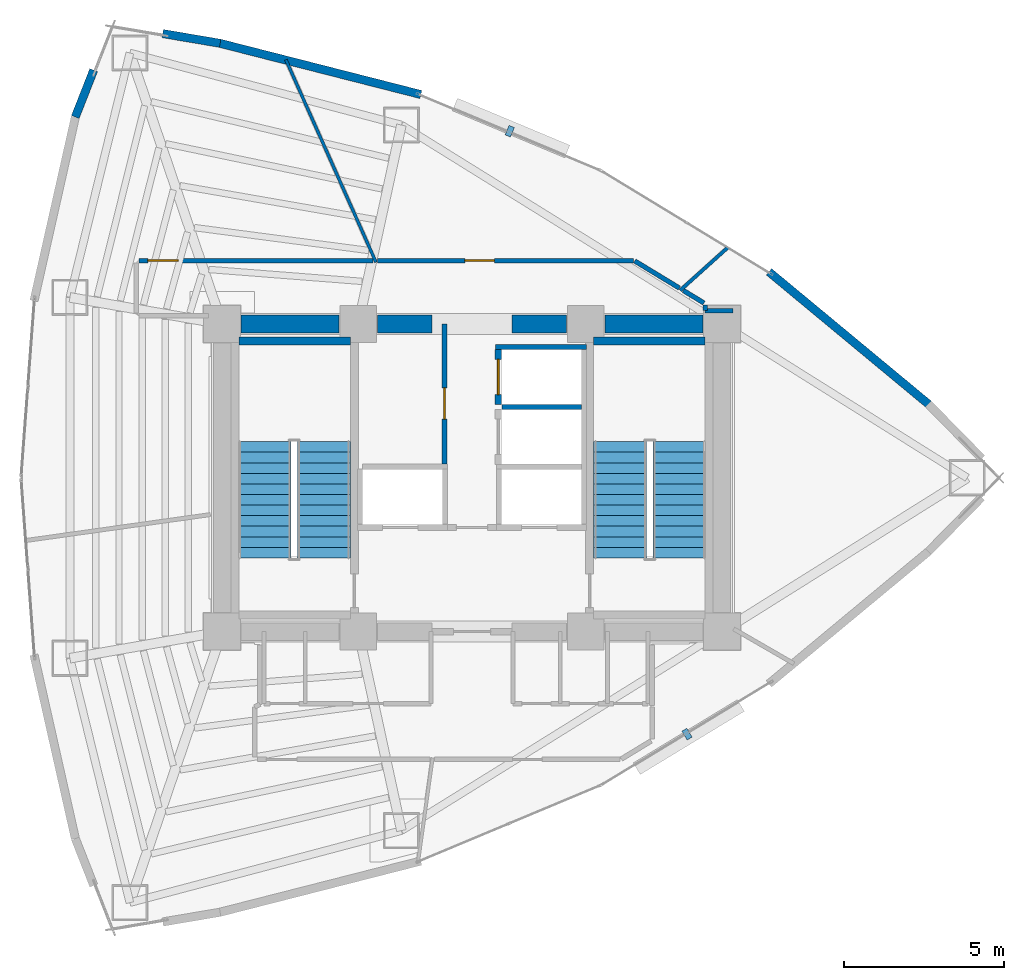
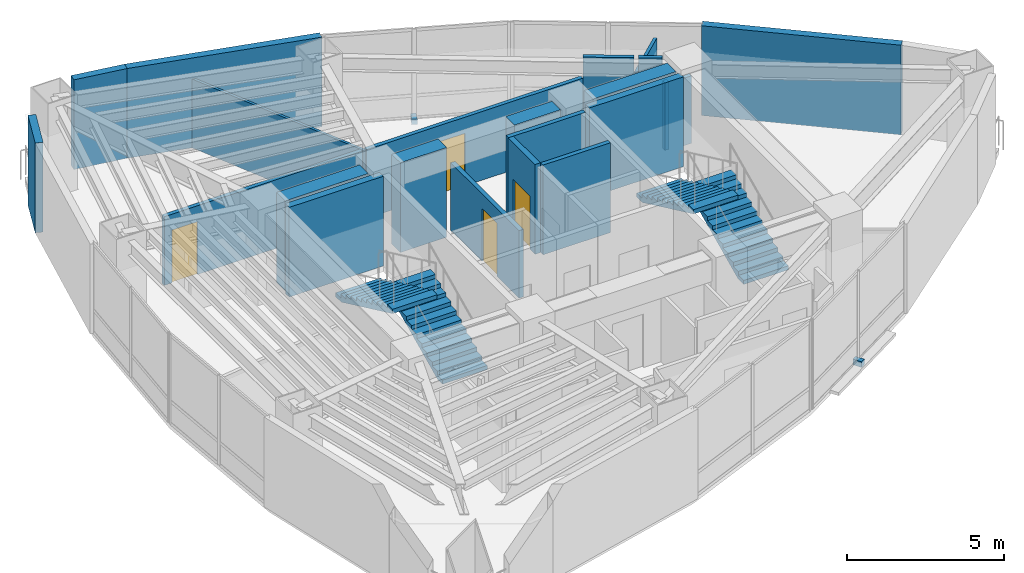
# One storey, part 12 of 15: 22 walls, 4 doors, 4 stair flights, 2 discrete accessories, 4 openings, 2 elements without a shape of their own.
"""IFC4 building model written with IfcOpenShell, lengths in metres."""

from ifc_helpers import new_model, si_unit, direction, frame, frame_2d, origin, origin_2d, place, context, subcontext, project, spatial, polyline, rectangle, outline, extrude, material, layer, layer_set, type_object, element, fill, aggregate, save


model = new_model("IFC4")

# Units and contexts
model_context = context("Model", 3, precision=1e-05, world=origin(), true_north=direction((0.0, 1.0)))
body_context = subcontext(model_context, "Body", "Model", "MODEL_VIEW")
ifc_project = project(units=[si_unit("LENGTHUNIT", "METRE"), si_unit("AREAUNIT", "SQUARE_METRE"), si_unit("VOLUMEUNIT", "CUBIC_METRE"), si_unit("PLANEANGLEUNIT", "RADIAN"), si_unit("MASSUNIT", "GRAM", prefix="KILO")], contexts=[model_context])

# Site, building, storey
site_placement = place(None, origin())
site = spatial("IfcSite", under=ifc_project, at=site_placement, CompositionType="ELEMENT")
building_placement = place(site_placement, origin())
building = spatial("IfcBuilding", under=site, at=building_placement, Name="Menara Vayukalpa", CompositionType="ELEMENT")
storey_placement = place(building_placement, frame((0.0, 0.0, 141.179931640625)))
storey = spatial("IfcBuildingStorey", under=building, at=storey_placement, Name="L35", CompositionType="ELEMENT", Elevation=141.179931640625)

# Walls
ifc_material_1 = material(Name="Concrete C60/75", Category="concrete")
ifc_layer_1 = layer(ifc_material_1, 0.550048828125)
ifc_layer_set_1 = layer_set([ifc_layer_1], Name="Concrete C60/75")
wall_type_1 = type_object("IfcWallType", Name="WAL-CW550", PredefinedType="SHEAR", material=ifc_layer_set_1)
wall_1_placement = place(storey_placement, frame((18.39501953125, 26.800048828125, 0.0), z_axis=(0.0, 0.0, 1.0), x_axis=(1.0, 0.0, 0.0)))
element("IfcWall", 1, at=wall_1_placement, inside=storey, type_object=wall_type_1, Name="L35 Buttressed Core Shear Wall CWN1", PredefinedType="SHEAR", context=body_context, shape_type="SweptSolid", body=[
    extrude(rectangle(XDim=3.06005859375, YDim=0.550048828125, at=frame_2d((1.530029296875, 0.0))), origin(), (0.0, 0.0, 1.0), 3.5),
])
wall_2_placement = place(storey_placement, frame((22.64501953125, 26.800048828125, 0.0), z_axis=(0.0, 0.0, 1.0), x_axis=(1.0, 0.0, 0.0)))
element("IfcWall", 2, at=wall_2_placement, inside=storey, type_object=wall_type_1, Name="L35 Buttressed Core Shear Wall CWN2", PredefinedType="SHEAR", context=body_context, shape_type="SweptSolid", body=[
    extrude(rectangle(XDim=1.705078125, YDim=0.550048828125, at=frame_2d((0.8525390625, 0.0))), origin(), (0.0, 0.0, 1.0), 3.5),
])
wall_3_placement = place(storey_placement, frame((26.85009765625, 26.800048828125, 0.0), z_axis=(0.0, 0.0, 1.0), x_axis=(1.0, 0.0, 0.0)))
element("IfcWall", 3, at=wall_3_placement, inside=storey, type_object=wall_type_1, Name="L35 Buttressed Core Shear Wall CWN3", PredefinedType="SHEAR", context=body_context, shape_type="SweptSolid", body=[
    extrude(rectangle(XDim=1.704833984375, YDim=0.550048828125, at=frame_2d((0.8525390625, 0.0))), origin(), (0.0, 0.0, 1.0), 3.5),
])
wall_4_placement = place(storey_placement, frame((29.7451171875, 26.800048828125, 0.0), z_axis=(0.0, 0.0, 1.0), x_axis=(1.0, 0.0, 0.0)))
element("IfcWall", 4, at=wall_4_placement, inside=storey, type_object=wall_type_1, Name="L35 Buttressed Core Shear Wall CWN4", PredefinedType="SHEAR", context=body_context, shape_type="SweptSolid", body=[
    extrude(rectangle(XDim=3.059814453125, YDim=0.550048828125, at=frame_2d((1.52978515625, 0.0))), origin(), (0.0, 0.0, 1.0), 3.5),
])
ifc_material_2 = material(Name="Insulated Precast Concrete C40/50", Category="concrete")
ifc_layer_2 = layer(ifc_material_2, 0.260009765625)
ifc_layer_set_2 = layer_set([ifc_layer_2], Name="Insulated Precast Concrete C40/50")
wall_type_2 = type_object("IfcWallType", Name="WAL-EXT260", PredefinedType="PARTITIONING", material=ifc_layer_set_2)
for number, where, z_axis, x_axis, name in (
    (5, (34.8701171875, 28.430419921875, 0.0), (0.0, 0.0, 1.0), (0.769754797847, -0.638339683234, 0.0), "L35 Perimeter Terracotta Pier Wall 03"),
    (6, (17.727294921875, 35.5654296875, 0.0), (0.0, 0.0, 1.0), (0.968987460493, -0.24710989743, 0.0), "L35 Perimeter Terracotta Pier Wall 06"),
):
    element("IfcWall", number, at=place(storey_placement, frame(where, z_axis=z_axis, x_axis=x_axis)), inside=storey, type_object=wall_type_2, Name=name, PredefinedType="PARTITIONING", context=body_context, shape_type="SweptSolid", body=[
        extrude(rectangle(XDim=6.476318359375, YDim=0.260009765625, at=frame_2d((3.23828125, 0.0))), origin(), (0.0, 0.0, 1.0), 3.5),
    ])
wall_5_placement = place(storey_placement, frame((15.946533203125, 35.8671875, 0.0), z_axis=(0.0, 0.0, 1.0), x_axis=(0.985903286971, -0.167316193894, 0.0)))
element("IfcWall", 7, at=wall_5_placement, inside=storey, type_object=wall_type_2, Name="L35 Perimeter Terracotta Pier Wall 07", PredefinedType="PARTITIONING", context=body_context, shape_type="SweptSolid", body=[
    extrude(rectangle(XDim=1.818115234375, YDim=0.260009765625, at=frame_2d((0.9091796875, 0.0))), origin(), (0.0, 0.0, 1.0), 3.5),
])
wall_6_placement = place(storey_placement, frame((13.21630859375, 33.263671875, 0.0), z_axis=(0.0, 0.0, 1.0), x_axis=(0.365517796794, 0.930804351207, 0.0)))
element("IfcWall", 8, at=wall_6_placement, inside=storey, type_object=wall_type_2, Name="L35 Perimeter Terracotta Pier Wall 08", PredefinedType="PARTITIONING", context=body_context, shape_type="SweptSolid", body=[
    extrude(rectangle(XDim=1.571533203125, YDim=0.260009765625, at=frame_2d((0.78564453125, 0.0))), origin(), (0.0, 0.0, 1.0), 3.5),
])
ifc_material_3 = material(Name="Lightweight Concrete Blockwork C16/20", Category="masonry")
ifc_layer_3 = layer(ifc_material_3, 0.159912109375)
ifc_layer_set_3 = layer_set([ifc_layer_3], Name="Lightweight Concrete Blockwork C16/20")
wall_type_3 = type_object("IfcWallType", Name="WAL-FR150", PredefinedType="PARTITIONING", material=ifc_layer_set_3)
wall_7_placement = place(storey_placement, frame((26.530029296875, 24.215087890625, 0.0), z_axis=(0.0, 0.0, 1.0), x_axis=(1.0, 0.0, 0.0)))
element("IfcWall", 9, at=wall_7_placement, inside=storey, type_object=wall_type_3, Name="L35 Interior Partition IW-L35-SHM-E32", PredefinedType="PARTITIONING", context=body_context, shape_type="SweptSolid", body=[
    extrude(rectangle(XDim=2.489990234375, YDim=0.159912109375, at=frame_2d((1.2451171875, 0.0))), origin(), (0.0, 0.0, 1.0), 3.5),
])
wall_8_placement = place(storey_placement, frame((26.340087890625, 26.0849609375, 0.0), z_axis=(0.0, 0.0, 1.0), x_axis=(1.0, 0.0, 0.0)))
element("IfcWall", 10, at=wall_8_placement, inside=storey, type_object=wall_type_3, Name="L35 Interior Partition IW-L35-SHM-E2N", PredefinedType="PARTITIONING", context=body_context, shape_type="SweptSolid", body=[
    extrude(rectangle(XDim=2.829833984375, YDim=0.159912109375, at=frame_2d((1.4150390625, 0.0))), origin(), (0.0, 0.0, 1.0), 3.5),
])

# Wall, opening, door
wall_9_placement = place(storey_placement, frame((24.739990234375, 22.429931640625, 0.0), z_axis=(0.0, 0.0, 1.0), x_axis=(0.0, 1.0, 0.0)))
wall_9 = element("IfcWall", 11, at=wall_9_placement, inside=storey, type_object=wall_type_3, Name="L35 Interior Partition IW-L35-LV7W", PredefinedType="PARTITIONING", context=body_context, shape_type="SweptSolid", body=[
    extrude(rectangle(XDim=4.3701171875, YDim=0.159912109375, at=frame_2d((2.18505859375, 0.0))), origin(), (0.0, 0.0, 1.0), 2.630126953125),
])
opening_1_placement = place(wall_9_placement, frame((1.39990234375, 0.0, 0.0)))
opening_1 = element("IfcOpeningElement", 12, at=opening_1_placement, cuts=wall_9, Name="Opening ID3", PredefinedType="OPENING", context=body_context, shape_type="SweptSolid", body=[
    extrude(rectangle(XDim=0.97998046875, YDim=2.06005859375, at=frame_2d((0.489990234375, 1.030029296875))), frame((0.0, 0.08984375, 0.0), z_axis=(0.0, -1.0, 0.0), x_axis=(1.0, 0.0, 0.0)), (0.0, 0.0, 1.0), 0.179931640625),
])
ifc_material_4 = material(Name="Fire-Rated Powder-Coated Steel Door", Category="steel")
door_type_1 = type_object("IfcDoorType", Name="DR-FD60", OperationType="NOTDEFINED", PredefinedType="DOOR", material=ifc_material_4)
door_1_placement = place(opening_1_placement, origin())
door_1 = element("IfcDoor", 13, at=door_1_placement, inside=storey, type_object=door_type_1, Name="L35 Interior Door DR-L35-LV7W", OperationType="SINGLE_SWING_LEFT", OverallHeight=2.06005859375, OverallWidth=0.97998046875, PredefinedType="DOOR", context=body_context, shape_type="SweptSolid", body=[
    extrude(rectangle(XDim=0.97998046875, YDim=2.06005859375, at=frame_2d((0.489990234375, 1.030029296875))), frame((0.0, 0.02490234375, 0.0), z_axis=(0.0, -1.0, 0.0), x_axis=(1.0, 0.0, 0.0)), (0.0, 0.0, 1.0), 0.050048828125),
])
fill(opening_1, door_1)

ifc_material_5 = material(Name="Lightweight Concrete Blockwork C16/20", Category="masonry")
ifc_layer_4 = layer(ifc_material_5, 0.199951171875)
ifc_layer_set_4 = layer_set([ifc_layer_4], Name="Lightweight Concrete Blockwork C16/20")
wall_type_4 = type_object("IfcWallType", Name="WAL-FR200", PredefinedType="PARTITIONING", material=ifc_layer_set_4)
wall_10_placement = place(storey_placement, frame((26.419921875, 24.2900390625, 0.0), z_axis=(0.0, 0.0, 1.0), x_axis=(0.0, 1.0, 0.0)))
wall_10 = element("IfcWall", 14, at=wall_10_placement, inside=storey, type_object=wall_type_4, Name="L35 Interior Partition IW-L35-SH-E2", PredefinedType="PARTITIONING", context=body_context, shape_type="SweptSolid", body=[
    extrude(rectangle(XDim=1.719970703125, YDim=0.199951171875, at=frame_2d((0.85986328125, 0.0))), origin(), (0.0, 0.0, 1.0), 3.5),
])
opening_2_placement = place(wall_10_placement, frame((0.31005859375, 0.0, 0.0)))
opening_2 = element("IfcOpeningElement", 15, at=opening_2_placement, cuts=wall_10, Name="Opening LD1", PredefinedType="OPENING", context=body_context, shape_type="SweptSolid", body=[
    extrude(rectangle(XDim=1.10009765625, YDim=2.080078125, at=frame_2d((0.550048828125, 1.0400390625))), frame((0.0, 0.10986328125, 0.0), z_axis=(0.0, -1.0, 0.0), x_axis=(1.0, 0.0, 0.0)), (0.0, 0.0, 1.0), 0.219970703125),
])
ifc_material_6 = material(Name="Brushed Stainless Steel 316 Lift Door", Category="steel")
door_type_2 = type_object("IfcDoorType", Name="DR-LD110", OperationType="NOTDEFINED", PredefinedType="DOOR", material=ifc_material_6)
door_2_placement = place(opening_2_placement, origin())
door_2 = element("IfcDoor", 16, at=door_2_placement, inside=storey, type_object=door_type_2, Name="L35 Interior Door DR-L35-LD-E2", OperationType="DOUBLE_DOOR_SLIDING", OverallHeight=2.080078125, OverallWidth=1.10009765625, PredefinedType="DOOR", context=body_context, shape_type="SweptSolid", body=[
    extrude(rectangle(XDim=1.10009765625, YDim=2.080078125, at=frame_2d((0.550048828125, 1.0400390625))), frame((0.0, 0.02490234375, 0.0), z_axis=(0.0, -1.0, 0.0), x_axis=(1.0, 0.0, 0.0)), (0.0, 0.0, 1.0), 0.050048828125),
])
fill(opening_2, door_2)

# Walls
ifc_material_7 = material(Name="Glazed Demountable Office Partition", Category="glass")
ifc_layer_5 = layer(ifc_material_7, 0.094970703125)
ifc_layer_set_5 = layer_set([ifc_layer_5], Name="Glazed Demountable Office Partition")
wall_type_5 = type_object("IfcWallType", Name="WAL-PT100", PredefinedType="PARTITIONING", material=ifc_layer_set_5)
wall_11_placement = place(storey_placement, frame((22.603515625, 28.72998046875, 0.0), z_axis=(0.0, 0.0, 1.0), x_axis=(-0.40673105446, 0.913547945834, 0.0)))
element("IfcWall", 17, at=wall_11_placement, inside=storey, type_object=wall_type_5, Name="L35 Interior Partition IW-L35-RDIV02", PredefinedType="PARTITIONING", context=body_context, shape_type="SweptSolid", body=[
    extrude(rectangle(XDim=6.91796875, YDim=0.094970703125, at=frame_2d((3.458984375, 0.0))), origin(), (0.0, 0.0, 1.0), 2.68017578125),
])
ifc_material_8 = material(Name="Acoustic Mineral Stud Partition", Category="masonry")
ifc_layer_6 = layer(ifc_material_8, 0.110107421875)
ifc_layer_set_6 = layer_set([ifc_layer_6], Name="Acoustic Mineral Stud Partition")
wall_type_6 = type_object("IfcWallType", Name="WAL-PT110", PredefinedType="PARTITIONING", material=ifc_layer_set_6)
wall_12_placement = place(storey_placement, frame((32.096923828125, 27.849853515625, 0.0), z_axis=(0.0, 0.0, 1.0), x_axis=(0.743149549086, 0.669125360222, 0.0)))
element("IfcWall", 18, at=wall_12_placement, inside=storey, type_object=wall_type_6, Name="L35 Interior Partition IW-L35-RDIV01", PredefinedType="PARTITIONING", context=body_context, shape_type="SweptSolid", body=[
    extrude(rectangle(XDim=2.01513671875, YDim=0.110107421875, at=frame_2d((1.007568359375, 0.0))), origin(), (0.0, 0.0, 1.0), 2.93017578125),
])
ifc_material_9 = material(Name="Gypsum Drywall Acoustic Stud Assembly", Category="masonry")
ifc_layer_7 = layer(ifc_material_9, 0.14501953125)
ifc_layer_set_7 = layer_set([ifc_layer_7], Name="Gypsum Drywall Acoustic Stud Assembly")
wall_type_7 = type_object("IfcWallType", Name="WAL-PT150", PredefinedType="PARTITIONING", material=ifc_layer_set_7)
wall_13_placement = place(storey_placement, frame((33.739990234375, 27.219970703125, 0.0), z_axis=(0.0, 0.0, 1.0), x_axis=(-1.0, 0.0, 0.0)))
element("IfcWall", 19, at=wall_13_placement, inside=storey, type_object=wall_type_7, Name="L35 Interior Partition IW-L35-CRM03-1", PredefinedType="PARTITIONING", context=body_context, shape_type="SweptSolid", body=[
    extrude(rectangle(XDim=0.860107421875, YDim=0.14501953125, at=frame_2d((0.43017578125, 0.0))), origin(), (0.0, 0.0, 1.0), 2.630126953125),
])
wall_14_placement = place(storey_placement, frame((32.8798828125, 27.219970703125, 0.0), z_axis=(0.0, 0.0, 1.0), x_axis=(0.0, 1.0, 0.0)))
element("IfcWall", 20, at=wall_14_placement, inside=storey, type_object=wall_type_7, Name="L35 Interior Partition IW-L35-CRM03-2", PredefinedType="PARTITIONING", context=body_context, shape_type="SweptSolid", body=[
    extrude(rectangle(XDim=0.167724609375, YDim=0.14501953125, at=frame_2d((0.083984375, 0.0))), origin(), (0.0, 0.0, 1.0), 2.630126953125),
])
wall_15_placement = place(storey_placement, frame((32.841552734375, 27.4560546875, 0.0), z_axis=(0.0, 0.0, 1.0), x_axis=(-0.854617897452, 0.519257401829, 0.0)))
element("IfcWall", 21, at=wall_15_placement, inside=storey, type_object=wall_type_7, Name="L35 Interior Partition IW-L35-CRM03-3", PredefinedType="PARTITIONING", context=body_context, shape_type="SweptSolid", body=[
    extrude(rectangle(XDim=0.752685546875, YDim=0.14501953125, at=frame_2d((0.37646484375, 0.0))), origin(), (0.0, 0.0, 1.0), 3.5),
])
wall_16_placement = place(storey_placement, frame((32.0732421875, 27.9228515625, 0.0), z_axis=(0.0, 0.0, 1.0), x_axis=(-0.854675861197, 0.51916199041, 0.0)))
element("IfcWall", 22, at=wall_16_placement, inside=storey, type_object=wall_type_7, Name="L35 Interior Partition IW-L35-CRM04-1", PredefinedType="PARTITIONING", context=body_context, shape_type="SweptSolid", body=[
    extrude(rectangle(XDim=1.62841796875, YDim=0.14501953125, at=frame_2d((0.814208984375, 0.0))), origin(), (0.0, 0.0, 1.0), 3.5),
])

# Wall, opening, door
wall_17_placement = place(storey_placement, frame((30.639892578125, 28.780029296875, 0.0), z_axis=(0.0, 0.0, 1.0), x_axis=(-1.0, 0.0, 0.0)))
wall_17 = element("IfcWall", 23, at=wall_17_placement, inside=storey, type_object=wall_type_7, Name="L35 Interior Partition IW-L35-CRM04-2", PredefinedType="PARTITIONING", context=body_context, shape_type="SweptSolid", body=[
    extrude(rectangle(XDim=7.98193359375, YDim=0.14501953125, at=frame_2d((3.990966796875, 0.0))), origin(), (0.0, 0.0, 1.0), 2.68017578125),
])
opening_3_placement = place(wall_17_placement, frame((4.343505859375, 0.0, 0.0)))
opening_3 = element("IfcOpeningElement", 24, at=opening_3_placement, cuts=wall_17, Name="Opening ID6", PredefinedType="OPENING", context=body_context, shape_type="SweptSolid", body=[
    extrude(rectangle(XDim=0.919921875, YDim=2.050048828125, at=frame_2d((0.4599609375, 1.02490234375))), frame((0.0, 0.08251953125, 0.0), z_axis=(0.0, -1.0, 0.0), x_axis=(1.0, 0.0, 0.0)), (0.0, 0.0, 1.0), 0.1650390625),
])
ifc_material_10 = material(Name="Acoustic Hardwood Veneer Timber Door", Category="wood")
door_type_3 = type_object("IfcDoorType", Name="DR-INT92", OperationType="NOTDEFINED", PredefinedType="DOOR", material=ifc_material_10)
door_3_placement = place(opening_3_placement, origin())
door_3 = element("IfcDoor", 25, at=door_3_placement, inside=storey, type_object=door_type_3, Name="L35 Interior Door DR-L35-RM04", OperationType="SINGLE_SWING_LEFT", OverallHeight=2.050048828125, OverallWidth=0.919921875, PredefinedType="DOOR", context=body_context, shape_type="SweptSolid", body=[
    extrude(rectangle(XDim=0.919921875, YDim=2.050048828125, at=frame_2d((0.4599609375, 1.02490234375))), frame((0.0, 0.02490234375, 0.0), z_axis=(0.0, -1.0, 0.0), x_axis=(1.0, 0.0, 0.0)), (0.0, 0.0, 1.0), 0.050048828125),
])
fill(opening_3, door_3)

wall_18_placement = place(storey_placement, frame((22.504638671875, 28.780029296875, 0.0), z_axis=(0.0, 0.0, 1.0), x_axis=(-1.0, 0.0, 0.0)))
wall_18 = element("IfcWall", 26, at=wall_18_placement, inside=storey, type_object=wall_type_7, Name="L35 Interior Partition IW-L35-CRM05-1", PredefinedType="PARTITIONING", context=body_context, shape_type="SweptSolid", body=[
    extrude(rectangle(XDim=7.3046875, YDim=0.14501953125, at=frame_2d((3.65234375, 0.0))), origin(), (0.0, 0.0, 1.0), 2.68017578125),
])
opening_4_placement = place(wall_18_placement, frame((6.07470703125, 0.0, 0.0)))
opening_4 = element("IfcOpeningElement", 27, at=opening_4_placement, cuts=wall_18, Name="Opening ID5", PredefinedType="OPENING", context=body_context, shape_type="SweptSolid", body=[
    extrude(rectangle(XDim=0.949951171875, YDim=2.06005859375, at=frame_2d((0.47509765625, 1.030029296875))), frame((0.0, 0.08251953125, 0.0), z_axis=(0.0, -1.0, 0.0), x_axis=(1.0, 0.0, 0.0)), (0.0, 0.0, 1.0), 0.1650390625),
])
ifc_material_11 = material(Name="Acoustic Hardwood Veneer Timber Door", Category="wood")
door_type_4 = type_object("IfcDoorType", Name="DR-INT95", OperationType="NOTDEFINED", PredefinedType="DOOR", material=ifc_material_11)
door_4_placement = place(opening_4_placement, origin())
door_4 = element("IfcDoor", 28, at=door_4_placement, inside=storey, type_object=door_type_4, Name="L35 Interior Door DR-L35-RM05", OperationType="SINGLE_SWING_RIGHT", OverallHeight=2.06005859375, OverallWidth=0.949951171875, PredefinedType="DOOR", context=body_context, shape_type="SweptSolid", body=[
    extrude(rectangle(XDim=0.949951171875, YDim=2.06005859375, at=frame_2d((0.47509765625, 1.030029296875))), frame((0.0, 0.02490234375, 0.0), z_axis=(0.0, -1.0, 0.0), x_axis=(1.0, 0.0, 0.0)), (0.0, 0.0, 1.0), 0.050048828125),
])
fill(opening_4, door_4)

# Walls
ifc_material_12 = material(Name="Concrete C50/60", Category="concrete")
ifc_layer_8 = layer(ifc_material_12, 0.25)
ifc_layer_set_8 = layer_set([ifc_layer_8], Name="Concrete C50/60")
wall_type_8 = type_object("IfcWallType", Name="WAL-SW250", PredefinedType="SHEAR", material=ifc_layer_set_8)
wall_19_placement = place(storey_placement, frame((18.3291015625, 26.27490234375, 0.0), z_axis=(0.0, 0.0, 1.0), x_axis=(1.0, 0.0, 0.0)))
element("IfcWall", 29, at=wall_19_placement, inside=storey, type_object=wall_type_8, Name="L35 ST1 Structural Stair Shaft Wall N", PredefinedType="SHEAR", context=body_context, shape_type="SweptSolid", body=[
    extrude(rectangle(XDim=3.470947265625, YDim=0.25, at=frame_2d((1.7353515625, 0.0))), origin(), (0.0, 0.0, 1.0), 3.5),
])
wall_20_placement = place(storey_placement, frame((29.39990234375, 26.27490234375, 0.0), z_axis=(0.0, 0.0, 1.0), x_axis=(1.0, 0.0, 0.0)))
element("IfcWall", 30, at=wall_20_placement, inside=storey, type_object=wall_type_8, Name="L35 ST2 Structural Stair Shaft Wall N", PredefinedType="SHEAR", context=body_context, shape_type="SweptSolid", body=[
    extrude(rectangle(XDim=3.47119140625, YDim=0.25, at=frame_2d((1.735595703125, 0.0))), origin(), (0.0, 0.0, 1.0), 3.5),
])

# Stair, stair flights
ifc_material_13 = material(Name="Precast Concrete C40/50", Category="concrete")
stair_type = type_object("IfcStairType", Name="STR-T04", PredefinedType="DOUBLE_RETURN_STAIR", material=ifc_material_13)
stair_1_placement = place(storey_placement, origin())
stair_1 = element("IfcStair", 31, at=stair_1_placement, inside=storey, type_object=stair_type, Name="L35 Core Exit Stair ST-1", PredefinedType="DOUBLE_RETURN_STAIR")
ifc_material_14 = material(Name="Precast Concrete C40/50", Category="concrete")
stair_flight_type = type_object("IfcStairFlightType", Name="STF-T04", PredefinedType="STRAIGHT", material=ifc_material_14)
stair_flight_1_placement = place(storey_placement, frame((20.97509765625, 19.5, 0.0), z_axis=(0.0, 0.0, 1.0), x_axis=(0.0, 1.0, 0.0)))
stair_flight_1 = element("IfcStairFlight", 32, at=stair_flight_1_placement, type_object=stair_flight_type, Name="ST-1 flight 1", NumberOfRisers=12, NumberOfTreads=11, PredefinedType="STRAIGHT", RiserHeight=0.155, TreadLength=0.33, context=body_context, shape_type="SweptSolid", body=[
    extrude(outline(polyline([(0.0, 0.0), (0.0, 0.155029296875), (0.330078125, 0.155029296875), (0.330078125, 0.31005859375), (0.659912109375, 0.31005859375), (0.659912109375, 0.465087890625), (0.989990234375, 0.465087890625), (0.989990234375, 0.6201171875), (1.320068359375, 0.6201171875), (1.320068359375, 0.77490234375), (1.64990234375, 0.77490234375), (1.64990234375, 0.929931640625), (1.97998046875, 0.929931640625), (1.97998046875, 1.0849609375), (2.31005859375, 1.0849609375), (2.31005859375, 1.239990234375), (2.639892578125, 1.239990234375), (2.639892578125, 1.39501953125), (2.969970703125, 1.39501953125), (2.969970703125, 1.550048828125), (3.300048828125, 1.550048828125), (3.300048828125, 1.705078125), (3.6298828125, 1.705078125), (3.6298828125, 1.860107421875), (3.6298828125, 1.539306640625), (0.3525390625, 0.0), (0.0, 0.0)])), frame((0.0, 0.824951171875, 0.0), z_axis=(0.0, -1.0, 0.0), x_axis=(1.0, 0.0, 0.0)), (0.0, 0.0, 1.0), 1.64990234375),
])
stair_flight_2_placement = place(storey_placement, frame((19.125, 23.1298828125, 1.860107421875), z_axis=(0.0, 0.0, 1.0), x_axis=(0.0, -1.0, 0.0)))
stair_flight_2 = element("IfcStairFlight", 33, at=stair_flight_2_placement, type_object=stair_flight_type, Name="ST-1 flight 2", NumberOfRisers=12, NumberOfTreads=11, PredefinedType="STRAIGHT", RiserHeight=0.155, TreadLength=0.33, context=body_context, shape_type="SweptSolid", body=[
    extrude(outline(polyline([(0.0, 0.0), (0.0, 0.155029296875), (0.330078125, 0.155029296875), (0.330078125, 0.31005859375), (0.659912109375, 0.31005859375), (0.659912109375, 0.465087890625), (0.989990234375, 0.465087890625), (0.989990234375, 0.6201171875), (1.320068359375, 0.6201171875), (1.320068359375, 0.77490234375), (1.64990234375, 0.77490234375), (1.64990234375, 0.929931640625), (1.97998046875, 0.929931640625), (1.97998046875, 1.0849609375), (2.31005859375, 1.0849609375), (2.31005859375, 1.239990234375), (2.639892578125, 1.239990234375), (2.639892578125, 1.39501953125), (2.969970703125, 1.39501953125), (2.969970703125, 1.550048828125), (3.300048828125, 1.550048828125), (3.300048828125, 1.705078125), (3.6298828125, 1.705078125), (3.6298828125, 1.860107421875), (3.6298828125, 1.539306640625), (0.3525390625, 0.0), (0.0, 0.0)])), frame((0.0, 0.824951171875, 0.0), z_axis=(0.0, -1.0, 0.0), x_axis=(1.0, 0.0, 0.0)), (0.0, 0.0, 1.0), 1.64990234375),
])
aggregate(stair_1, [stair_flight_1, stair_flight_2])

stair_2_placement = place(storey_placement, origin())
stair_2 = element("IfcStair", 34, at=stair_2_placement, inside=storey, type_object=stair_type, Name="L35 Core Exit Stair ST-2", PredefinedType="DOUBLE_RETURN_STAIR")
stair_flight_3_placement = place(storey_placement, frame((32.074951171875, 19.5, 0.0), z_axis=(0.0, 0.0, 1.0), x_axis=(0.0, 1.0, 0.0)))
stair_flight_3 = element("IfcStairFlight", 35, at=stair_flight_3_placement, type_object=stair_flight_type, Name="ST-2 flight 1", NumberOfRisers=12, NumberOfTreads=11, PredefinedType="STRAIGHT", RiserHeight=0.155, TreadLength=0.33, context=body_context, shape_type="SweptSolid", body=[
    extrude(outline(polyline([(0.0, 0.0), (0.0, 0.155029296875), (0.330078125, 0.155029296875), (0.330078125, 0.31005859375), (0.659912109375, 0.31005859375), (0.659912109375, 0.465087890625), (0.989990234375, 0.465087890625), (0.989990234375, 0.6201171875), (1.320068359375, 0.6201171875), (1.320068359375, 0.77490234375), (1.64990234375, 0.77490234375), (1.64990234375, 0.929931640625), (1.97998046875, 0.929931640625), (1.97998046875, 1.0849609375), (2.31005859375, 1.0849609375), (2.31005859375, 1.239990234375), (2.639892578125, 1.239990234375), (2.639892578125, 1.39501953125), (2.969970703125, 1.39501953125), (2.969970703125, 1.550048828125), (3.300048828125, 1.550048828125), (3.300048828125, 1.705078125), (3.6298828125, 1.705078125), (3.6298828125, 1.860107421875), (3.6298828125, 1.539306640625), (0.3525390625, 0.0), (0.0, 0.0)])), frame((0.0, 0.824951171875, 0.0), z_axis=(0.0, -1.0, 0.0), x_axis=(1.0, 0.0, 0.0)), (0.0, 0.0, 1.0), 1.64990234375),
])
stair_flight_4_placement = place(storey_placement, frame((30.22509765625, 23.1298828125, 1.860107421875), z_axis=(0.0, 0.0, 1.0), x_axis=(0.0, -1.0, 0.0)))
stair_flight_4 = element("IfcStairFlight", 36, at=stair_flight_4_placement, type_object=stair_flight_type, Name="ST-2 flight 2", NumberOfRisers=12, NumberOfTreads=11, PredefinedType="STRAIGHT", RiserHeight=0.155, TreadLength=0.33, context=body_context, shape_type="SweptSolid", body=[
    extrude(outline(polyline([(0.0, 0.0), (0.0, 0.155029296875), (0.330078125, 0.155029296875), (0.330078125, 0.31005859375), (0.659912109375, 0.31005859375), (0.659912109375, 0.465087890625), (0.989990234375, 0.465087890625), (0.989990234375, 0.6201171875), (1.320068359375, 0.6201171875), (1.320068359375, 0.77490234375), (1.64990234375, 0.77490234375), (1.64990234375, 0.929931640625), (1.97998046875, 0.929931640625), (1.97998046875, 1.0849609375), (2.31005859375, 1.0849609375), (2.31005859375, 1.239990234375), (2.639892578125, 1.239990234375), (2.639892578125, 1.39501953125), (2.969970703125, 1.39501953125), (2.969970703125, 1.550048828125), (3.300048828125, 1.550048828125), (3.300048828125, 1.705078125), (3.6298828125, 1.705078125), (3.6298828125, 1.860107421875), (3.6298828125, 1.539306640625), (0.3525390625, 0.0), (0.0, 0.0)])), frame((0.0, 0.824951171875, 0.0), z_axis=(0.0, -1.0, 0.0), x_axis=(1.0, 0.0, 0.0)), (0.0, 0.0, 1.0), 1.64990234375),
])
aggregate(stair_2, [stair_flight_3, stair_flight_4])

# Discrete accessories
ifc_material_15 = material(Name="Stainless Steel 316 Sunshade Bracket", Category="steel")
discrete_accessory_type = type_object("IfcDiscreteAccessoryType", Name="ACC-BRK1", PredefinedType="BRACKET", material=ifc_material_15)
for number, where, z_axis, x_axis, name in (
    (37, (26.778076171875, 32.8193359375, -0.16015625), (0.0, 0.0, 1.0), (-0.922544824647, 0.385889940938, 0.0), "L35 Terracotta Sunshade Bracket 05"),
    (38, (32.311279296875, 13.998779296875, -0.16015625), (0.0, 0.0, 1.0), (0.854658248158, 0.519190984952, 0.0), "L35 Terracotta Sunshade Bracket 17"),
):
    element("IfcDiscreteAccessory", number, at=place(storey_placement, frame(where, z_axis=z_axis, x_axis=x_axis)), inside=storey, type_object=discrete_accessory_type, Name=name, PredefinedType="BRACKET", context=body_context, shape_type="SweptSolid", body=[
        extrude(rectangle(XDim=0.179931640625, YDim=0.320068359375, at=origin_2d()), origin(), (0.0, 0.0, 1.0), 0.219970703125),
    ])

save(model, "model.ifc")
